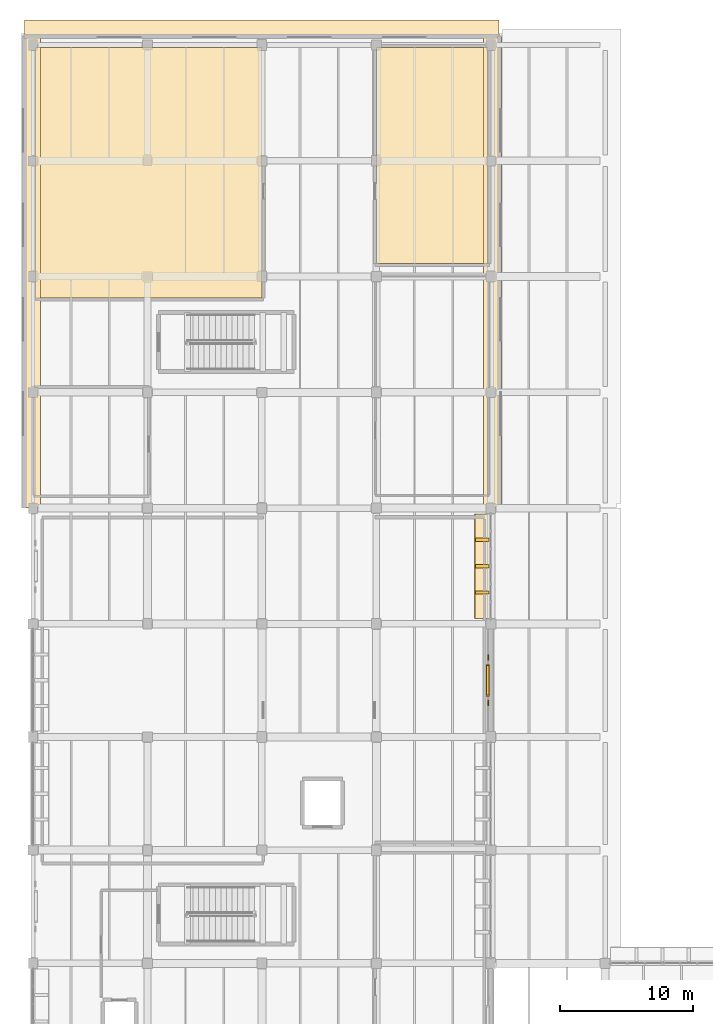
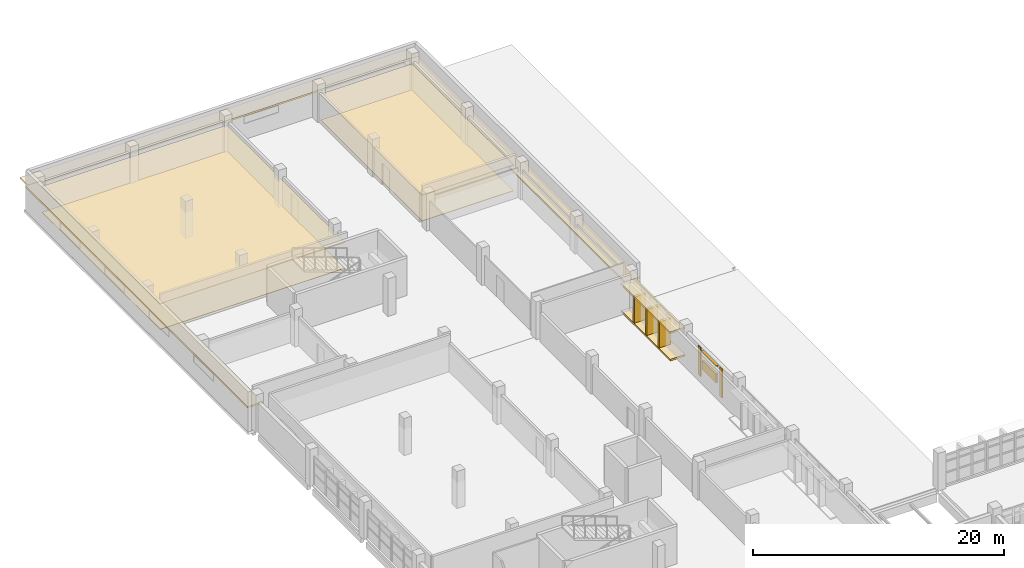
# One storey, part 79 of 80: 11 coverings, 5 shading devices.
"""IFC4 building model written with IfcOpenShell, lengths in metres."""

from ifc_helpers import new_model, si_unit, direction, frame, origin, origin_2d, place, context, subcontext, project, spatial, polyline, rectangle, outline, extrude, material, layer, layer_set, type_object, element, save


model = new_model("IFC4")

# Units and contexts
model_context = context("Model", 3, precision=1e-05, world=origin(), true_north=direction((0.0, 1.0)))
body_context = subcontext(model_context, "Body", "Model", "MODEL_VIEW")
ifc_project = project(units=[si_unit("LENGTHUNIT", "METRE"), si_unit("AREAUNIT", "SQUARE_METRE"), si_unit("VOLUMEUNIT", "CUBIC_METRE"), si_unit("PLANEANGLEUNIT", "RADIAN"), si_unit("MASSUNIT", "GRAM", prefix="KILO")], contexts=[model_context])

# Site, building, storey
site_placement = place(None, origin())
site = spatial("IfcSite", under=ifc_project, at=site_placement, CompositionType="ELEMENT")
building_placement = place(site_placement, origin())
building = spatial("IfcBuilding", under=site, at=building_placement, Name="Varnakota Cinema and Media Centre", CompositionType="ELEMENT")
storey_placement = place(building_placement, frame((0.0, 0.0, 4.5)))
storey = spatial("IfcBuildingStorey", under=building, at=storey_placement, Name="L01", CompositionType="ELEMENT", Elevation=4.5)

# Coverings
ifc_material_1 = material(Name="Autoclaved aerated concrete blockwork", Category="masonry")
ifc_layer_1 = layer(ifc_material_1, 0.06005859375)
ifc_layer_set_1 = layer_set([ifc_layer_1], Name="Autoclaved aerated concrete blockwork")
covering_type_1 = type_object("IfcCoveringType", Name="COV-ACOUST-CEIL-60", PredefinedType="CEILING", material=ifc_layer_set_1)
covering_1_placement = place(storey_placement, frame((0.0, 0.0, 2.5)))
element("IfcCovering", 1, at=covering_1_placement, inside=storey, type_object=covering_type_1, Name="L01 DI Colour Timing Theatre acoustic baffle ceiling", PredefinedType="CEILING", context=body_context, shape_type="SweptSolid", body=[
    extrude(outline(polyline([(25.800048828125, 96.60009765625), (34.199951171875, 96.60009765625), (34.199951171875, 112.800048828125), (25.800048828125, 112.800048828125), (25.800048828125, 96.60009765625)])), origin(), (0.0, 0.0, 1.0), 0.06005859375),
])
covering_2_placement = place(storey_placement, frame((0.0, 0.0, 2.5)))
element("IfcCovering", 2, at=covering_2_placement, inside=storey, type_object=covering_type_1, Name="L01 Offline Editing Studios West acoustic baffle ceiling", PredefinedType="CEILING", context=body_context, shape_type="SweptSolid", body=[
    extrude(outline(polyline([(0.199951171875, 94.0), (17.199951171875, 94.0), (17.199951171875, 112.800048828125), (0.199951171875, 112.800048828125), (0.199951171875, 94.0)])), origin(), (0.0, 0.0, 1.0), 0.06005859375),
])
ifc_material_2 = material(Name="Precast concrete M40", Category="concrete")
ifc_layer_2 = layer(ifc_material_2, 0.159912109375)
ifc_layer_set_2 = layer_set([ifc_layer_2], Name="Precast concrete M40")
covering_type_2 = type_object("IfcCoveringType", Name="COV-CHAJJA-160", PredefinedType="CLADDING", material=ifc_layer_set_2)
covering_3_placement = place(storey_placement, frame((0.0, 0.0, 2.675048828125)))
element("IfcCovering", 3, at=covering_3_placement, inside=storey, type_object=covering_type_2, Name="L01 Brutalist chajja overhang V5-E-5", PredefinedType="CLADDING", context=body_context, shape_type="SweptSolid", body=[
    extrude(outline(polyline([(34.580078125, 69.9150390625), (34.580078125, 77.760009765625), (33.179931640625, 77.760009765625), (33.179931640625, 69.9150390625), (34.580078125, 69.9150390625)])), origin(), (0.0, 0.0, 1.0), 0.159912109375),
])
covering_4_placement = place(storey_placement, origin())
element("IfcCovering", 4, at=covering_4_placement, inside=storey, type_object=covering_type_2, Name="L01 brise-soleil base plinth V5-E-5", PredefinedType="CLADDING", context=body_context, shape_type="SweptSolid", body=[
    extrude(outline(polyline([(34.580078125, 69.9150390625), (34.580078125, 77.760009765625), (33.219970703125, 77.760009765625), (33.219970703125, 69.9150390625), (34.580078125, 69.9150390625)])), origin(), (0.0, 0.0, 1.0), 0.159912109375),
])
covering_5_placement = place(storey_placement, frame((0.0, 0.0, 2.2900390625)))
element("IfcCovering", 5, at=covering_5_placement, inside=storey, type_object=covering_type_2, Name="L01 Brutalist chajja overhang V7-E-1", PredefinedType="CLADDING", context=body_context, shape_type="SweptSolid", body=[
    extrude(outline(polyline([(35.239990234375, 78.239990234375), (35.239990234375, 113.6201171875), (33.840087890625, 113.6201171875), (33.840087890625, 78.239990234375), (35.239990234375, 78.239990234375)])), origin(), (0.0, 0.0, 1.0), 0.159912109375),
])
covering_6_placement = place(storey_placement, frame((0.0, 0.0, 2.2900390625)))
element("IfcCovering", 6, at=covering_6_placement, inside=storey, type_object=covering_type_2, Name="L01 Brutalist chajja overhang V7-N-1", PredefinedType="CLADDING", context=body_context, shape_type="SweptSolid", body=[
    extrude(outline(polyline([(-0.6201171875, 113.47998046875), (35.02001953125, 113.47998046875), (35.02001953125, 114.8798828125), (-0.6201171875, 114.8798828125), (-0.6201171875, 113.47998046875)])), origin(), (0.0, 0.0, 1.0), 0.159912109375),
])
covering_7_placement = place(storey_placement, frame((0.0, 0.0, 2.2900390625)))
element("IfcCovering", 7, at=covering_7_placement, inside=storey, type_object=covering_type_2, Name="L01 Brutalist chajja overhang V7-W-1", PredefinedType="CLADDING", context=body_context, shape_type="SweptSolid", body=[
    extrude(outline(polyline([(-0.840087890625, 113.6201171875), (-0.840087890625, 78.239990234375), (0.56005859375, 78.239990234375), (0.56005859375, 113.6201171875), (-0.840087890625, 113.6201171875)])), origin(), (0.0, 0.0, 1.0), 0.159912109375),
])
ifc_material_3 = material(Name="Deccan grey granite ashlar", Category="masonry")
ifc_layer_3 = layer(ifc_material_3, 0.044921875)
ifc_layer_set_3 = layer_set([ifc_layer_3], Name="Deccan grey granite ashlar")
covering_type_3 = type_object("IfcCoveringType", Name="COV-STUDIO-FLR-45", PredefinedType="FLOORING", material=ifc_layer_set_3)
covering_8_placement = place(storey_placement, origin())
element("IfcCovering", 8, at=covering_8_placement, inside=storey, type_object=covering_type_3, Name="L01 DI Colour Timing Theatre isolated studio floor finish", PredefinedType="FLOORING", context=body_context, shape_type="SweptSolid", body=[
    extrude(outline(polyline([(25.800048828125, 96.60009765625), (34.199951171875, 96.60009765625), (34.199951171875, 112.800048828125), (25.800048828125, 112.800048828125), (25.800048828125, 96.60009765625)])), origin(), (0.0, 0.0, 1.0), 0.044921875),
])
covering_9_placement = place(storey_placement, origin())
element("IfcCovering", 9, at=covering_9_placement, inside=storey, type_object=covering_type_3, Name="L01 Offline Editing Studios West isolated studio floor finish", PredefinedType="FLOORING", context=body_context, shape_type="SweptSolid", body=[
    extrude(outline(polyline([(0.199951171875, 94.0), (17.199951171875, 94.0), (17.199951171875, 112.800048828125), (0.199951171875, 112.800048828125), (0.199951171875, 94.0)])), origin(), (0.0, 0.0, 1.0), 0.044921875),
])
ifc_material_4 = material(Name="Pale Tandur limestone cladding", Category="masonry")
ifc_layer_4 = layer(ifc_material_4, 0.06005859375)
ifc_layer_set_4 = layer_set([ifc_layer_4], Name="Pale Tandur limestone cladding")
covering_type_4 = type_object("IfcCoveringType", Name="COV-TANDUR-ASHLAR-60", PredefinedType="CLADDING", material=ifc_layer_set_4)
for number, where, z_axis, x_axis, name in (
    (10, (34.215087890625, 63.56298828125, 0.06005859375), (0.0, 0.0, 1.0), (0.0, 1.0, 0.0), "L01 acoustic studio stone relief pilaster V5-E-4.1"),
    (11, (34.215087890625, 66.9619140625, 0.06005859375), (0.0, 0.0, 1.0), (0.0, 1.0, 0.0), "L01 acoustic studio stone relief pilaster V5-E-4.2"),
):
    element("IfcCovering", number, at=place(storey_placement, frame(where, z_axis=z_axis, x_axis=x_axis)), inside=storey, type_object=covering_type_4, Name=name, PredefinedType="CLADDING", context=body_context, shape_type="SweptSolid", body=[
        extrude(rectangle(XDim=0.419921875, YDim=0.080078125, at=origin_2d()), origin(), (0.0, 0.0, 1.0), 2.81494140625),
    ])

# Shading devices
ifc_material_5 = material(Name="Precast concrete M40", Category="concrete")
shading_device_type_1 = type_object("IfcShadingDeviceType", Name="SHD-BRISE-FIN-240", PredefinedType="JALOUSIE", material=ifc_material_5)
for number, where, z_axis, x_axis, name in (
    (12, (33.77001953125, 71.856201171875, 0.14990234375), (0.0, 0.0, 1.0), (0.0, 1.0, 0.0), "L01 vertical concrete brise-soleil fin V5-E-5.1"),
    (13, (33.77001953125, 73.83740234375, 0.14990234375), (0.0, 0.0, 1.0), (0.0, 1.0, 0.0), "L01 vertical concrete brise-soleil fin V5-E-5.2"),
    (14, (33.77001953125, 75.818603515625, 0.14990234375), (0.0, 0.0, 1.0), (0.0, 1.0, 0.0), "L01 vertical concrete brise-soleil fin V5-E-5.3"),
):
    element("IfcShadingDevice", number, at=place(storey_placement, frame(where, z_axis=z_axis, x_axis=x_axis)), inside=storey, type_object=shading_device_type_1, Name=name, PredefinedType="JALOUSIE", context=body_context, shape_type="SweptSolid", body=[
        extrude(rectangle(XDim=0.239990234375, YDim=1.02001953125, at=origin_2d()), origin(), (0.0, 0.0, 1.0), 2.534912109375),
    ])
ifc_material_6 = material(Name="Precast concrete M40", Category="concrete")
shading_device_type_2 = type_object("IfcShadingDeviceType", Name="SHD-CHAJJA-1050", PredefinedType="AWNING", material=ifc_material_6)
shading_device_1_placement = place(storey_placement, frame((34.169921875, 65.262451171875, 2.6650390625), z_axis=(0.0, 0.0, 1.0), x_axis=(0.0, 1.0, 0.0)))
element("IfcShadingDevice", 15, at=shading_device_1_placement, inside=storey, type_object=shading_device_type_2, Name="L01 acoustic intake weather hood V5-E-4", PredefinedType="AWNING", context=body_context, shape_type="SweptSolid", body=[
    extrude(rectangle(XDim=2.39990234375, YDim=0.239990234375, at=origin_2d()), origin(), (0.0, 0.0, 1.0), 0.139892578125),
])
ifc_material_7 = material(Name="Precast concrete M40", Category="concrete")
shading_device_type_3 = type_object("IfcShadingDeviceType", Name="SHD-FIN-1050", PredefinedType="JALOUSIE", material=ifc_material_7)
shading_device_2_placement = place(storey_placement, frame((34.169921875, 65.262451171875, 1.074951171875), z_axis=(0.0, 0.0, 1.0), x_axis=(0.0, 1.0, 0.0)))
element("IfcShadingDevice", 16, at=shading_device_2_placement, inside=storey, type_object=shading_device_type_3, Name="L01 studio acoustic louvre screen V5-E-4", PredefinedType="JALOUSIE", context=body_context, shape_type="SweptSolid", body=[
    extrude(rectangle(XDim=2.199951171875, YDim=0.199951171875, at=origin_2d()), origin(), (0.0, 0.0, 1.0), 0.85009765625),
])

save(model, "model.ifc")
